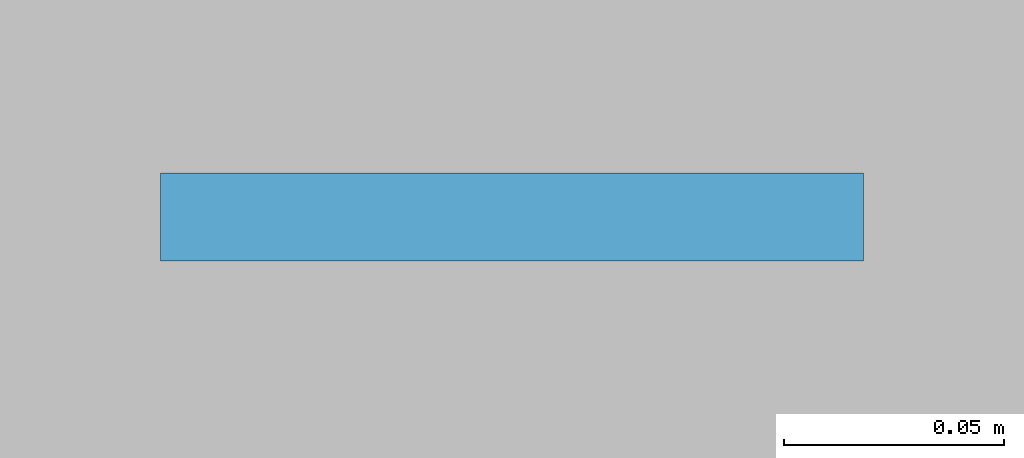
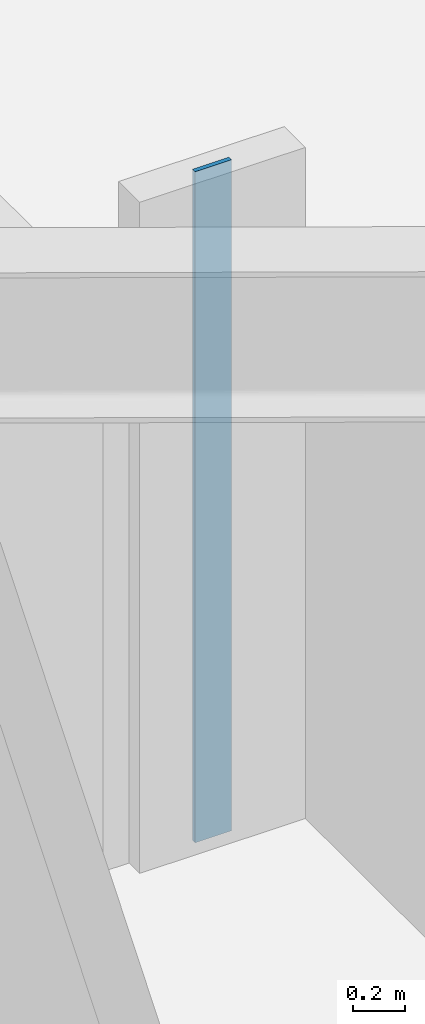
# One storey, part 5 of 15: 1 plate.
"""IFC4 building model written with IfcOpenShell, lengths in metres."""

from ifc_helpers import new_model, si_unit, direction, frame, origin, origin_2d, place, context, subcontext, project, spatial, rectangle, extrude, material, layer, layer_set, type_object, element, save


model = new_model("IFC4")

# Units and contexts
model_context = context("Model", 3, precision=1e-05, world=origin(), true_north=direction((0.0, 1.0)))
body_context = subcontext(model_context, "Body", "Model", "MODEL_VIEW")
ifc_project = project(units=[si_unit("LENGTHUNIT", "METRE"), si_unit("AREAUNIT", "SQUARE_METRE"), si_unit("VOLUMEUNIT", "CUBIC_METRE"), si_unit("PLANEANGLEUNIT", "RADIAN"), si_unit("MASSUNIT", "GRAM", prefix="KILO")], contexts=[model_context])

# Site, building, storey
site_placement = place(None, origin())
site = spatial("IfcSite", under=ifc_project, at=site_placement, CompositionType="ELEMENT")
building_placement = place(site_placement, origin())
building = spatial("IfcBuilding", under=site, at=building_placement, Name="Miruveldt Soraemaru", CompositionType="ELEMENT")
storey_placement = place(building_placement, frame((0.0, 0.0, 83.60009765625)))
storey = spatial("IfcBuildingStorey", under=building, at=storey_placement, Name="L23", CompositionType="ELEMENT", Elevation=83.60009765625)

# Plate
ifc_material = material(Name="Anodised aluminium EN AW-6063 T6", Category="aluminium")
ifc_layer = layer(ifc_material, 0.02001953125, Name="Anodised aluminium EN AW-6063 T6", Category="aluminium")
ifc_layer_set = layer_set([ifc_layer], Name="Anodised aluminium EN AW-6063 T6")
plate_type = type_object("IfcPlateType", Name="PLT-PART-TRIM", PredefinedType="SHEET", material=ifc_layer_set)
plate_placement = place(storey_placement, frame((54.155029296875, 52.449951171875, 0.0), z_axis=(0.0, 0.0, 1.0), x_axis=(-1.0, 0.0, 0.0)))
element("IfcPlate", 1, at=plate_placement, inside=storey, type_object=plate_type, Name="L23 Partition Step Corner Trim Plate 008", PredefinedType="SHEET", context=body_context, shape_type="SweptSolid", body=[
    extrude(rectangle(XDim=0.159912109375, YDim=0.02001953125, at=origin_2d()), origin(), (0.0, 0.0, 1.0), 3.125),
])

save(model, "model.ifc")
